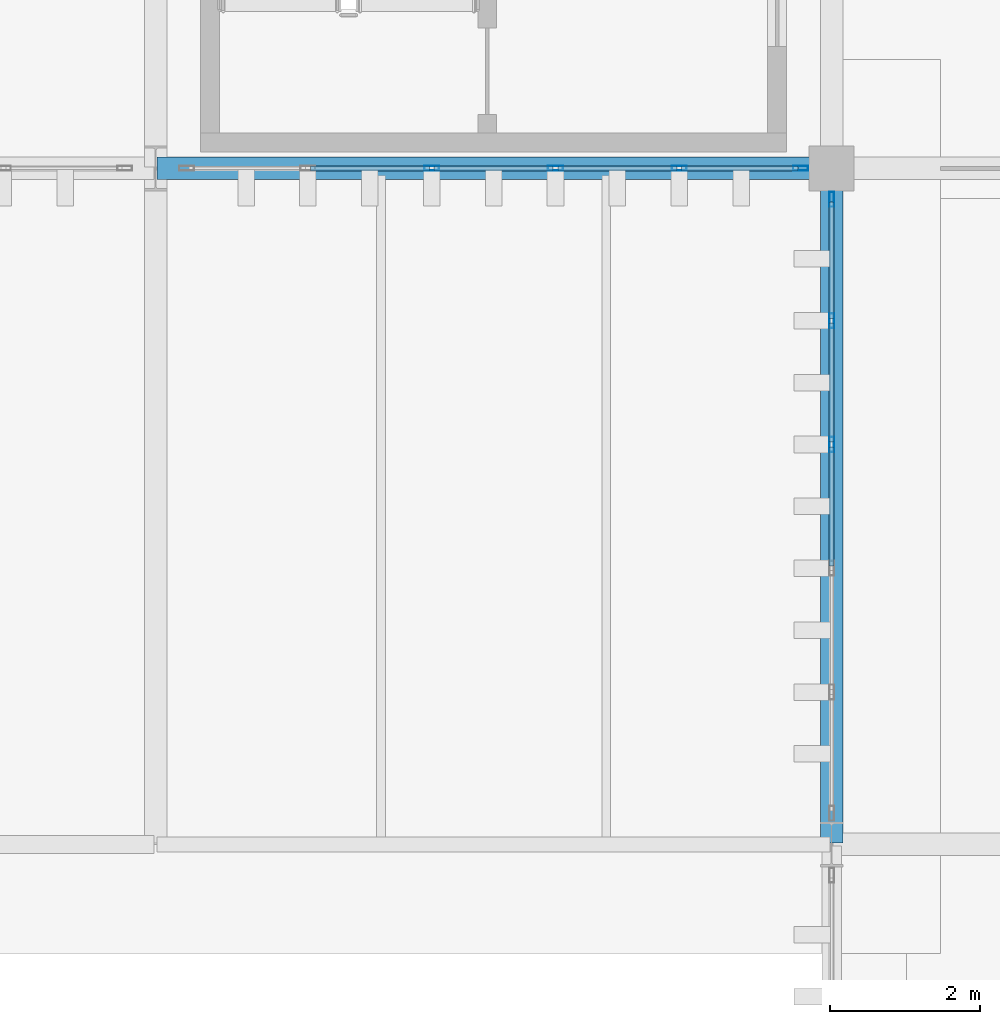
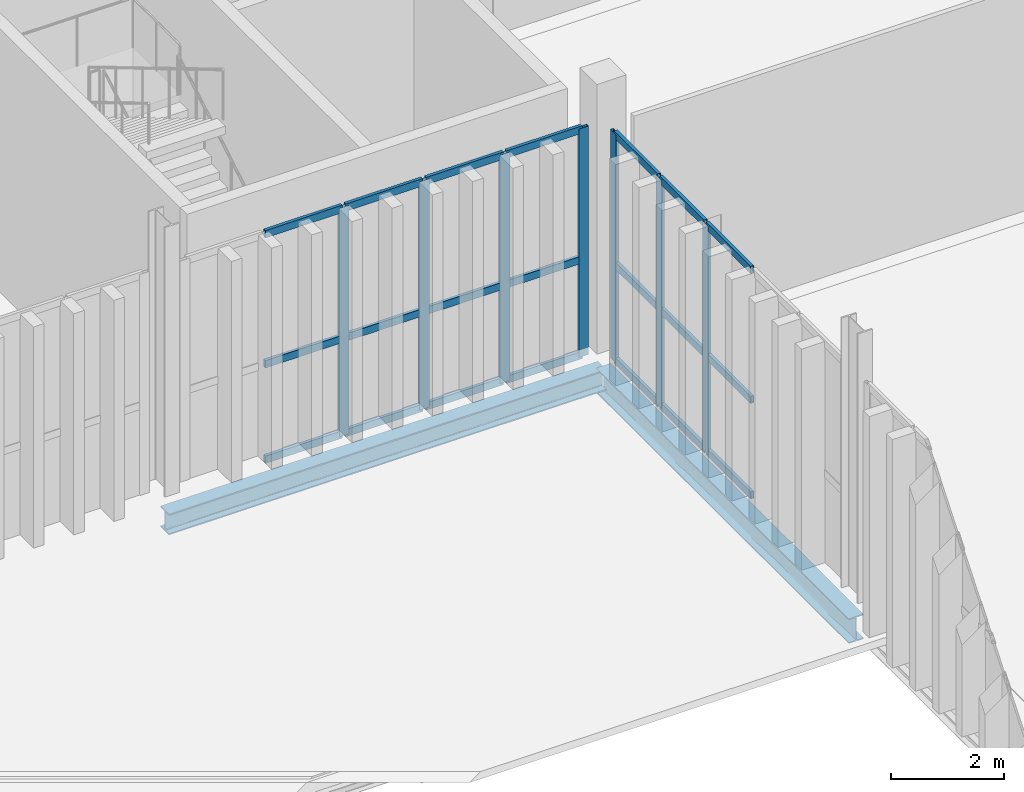
# One storey, part 71 of 211: 28 members, 2 beams, 2 elements without a shape of their own.
"""IFC4 building model written with IfcOpenShell, lengths in metres."""

from ifc_helpers import new_model, si_unit, direction, frame, origin, origin_2d, place, context, subcontext, project, spatial, hollow_rectangle, i_section, extrude, material, layer, layer_set, material_profile, profile_set, type_object, element, aggregate, save


model = new_model("IFC4")

# Units and contexts
model_context = context("Model", 3, precision=1e-05, world=origin(), true_north=direction((0.0, 1.0)))
body_context = subcontext(model_context, "Body", "Model", "MODEL_VIEW")
ifc_project = project(units=[si_unit("LENGTHUNIT", "METRE"), si_unit("AREAUNIT", "SQUARE_METRE"), si_unit("VOLUMEUNIT", "CUBIC_METRE"), si_unit("PLANEANGLEUNIT", "RADIAN"), si_unit("MASSUNIT", "GRAM", prefix="KILO")], contexts=[model_context])

# Site, building, storey
site_placement = place(None, origin())
site = spatial("IfcSite", under=ifc_project, at=site_placement, CompositionType="ELEMENT")
building_placement = place(site_placement, origin())
building = spatial("IfcBuilding", under=site, at=building_placement, Name="Barlavento Convention Centre", CompositionType="ELEMENT")
storey_placement = place(building_placement, frame((0.0, 0.0, 6.0)))
storey = spatial("IfcBuildingStorey", under=building, at=storey_placement, Name="L01", CompositionType="ELEMENT", Elevation=6.0)

# Curtain wall, members
ifc_material_1 = material(Name="Powder-coated aluminium and Low-E glass", Category="aluminium")
ifc_layer_1 = layer(ifc_material_1, 0.195068359375)
ifc_layer_set_1 = layer_set([ifc_layer_1], Name="ARC-CW-FOY-L01")
curtain_wall_type_1 = type_object("IfcCurtainWallType", Name="ARC-CW-FOY-L01", PredefinedType="NOTDEFINED", material=ifc_layer_set_1)
curtain_wall_1_placement = place(storey_placement, origin())
curtain_wall_1 = element("IfcCurtainWall", 1, at=curtain_wall_1_placement, inside=storey, type_object=curtain_wall_type_1, Name="L01 unitised curtain wall CW03", PredefinedType="NOTDEFINED")
ifc_material_2 = material(Name="Powder-coated aluminium", Category="aluminium")
ifc_material_profile_1 = material_profile(ifc_material_2, hollow_rectangle(XDim=0.06494140625, YDim=0.199951171875, WallThickness=0.0048828125, at=origin_2d()), Name="AL-MULL 65x200x5")
ifc_profile_set_1 = profile_set([ifc_material_profile_1], Name="Powder-coated aluminium")
member_type_1 = type_object("IfcMemberType", Name="ARC-CWM-65X200", PredefinedType="MULLION", material=ifc_profile_set_1)
member_1_placement = place(storey_placement, frame((120.676025390625, 45.0, 0.0), z_axis=(0.0, 0.0, 1.0), x_axis=(0.0, 1.0, 0.0)))
member_1 = element("IfcMember", 2, at=member_1_placement, type_object=member_type_1, Name="CW03 mullion 3", PredefinedType="MULLION", context=body_context, shape_type="SweptSolid", body=[
    extrude(hollow_rectangle(XDim=0.06494140625, YDim=0.199951171875, WallThickness=0.0048828125, at=origin_2d()), origin(), (0.0, 0.0, 1.0), 4.949951171875),
])
member_2_placement = place(storey_placement, frame((122.323974609375, 45.0, 0.0), z_axis=(0.0, 0.0, 1.0), x_axis=(0.0, 1.0, 0.0)))
member_2 = element("IfcMember", 3, at=member_2_placement, type_object=member_type_1, Name="CW03 mullion 4", PredefinedType="MULLION", context=body_context, shape_type="SweptSolid", body=[
    extrude(hollow_rectangle(XDim=0.06494140625, YDim=0.199951171875, WallThickness=0.0048828125, at=origin_2d()), origin(), (0.0, 0.0, 1.0), 4.949951171875),
])
member_3_placement = place(storey_placement, frame((123.971923828125, 45.0, 0.0), z_axis=(0.0, 0.0, 1.0), x_axis=(0.0, 1.0, 0.0)))
member_3 = element("IfcMember", 4, at=member_3_placement, type_object=member_type_1, Name="CW03 mullion 5", PredefinedType="MULLION", context=body_context, shape_type="SweptSolid", body=[
    extrude(hollow_rectangle(XDim=0.06494140625, YDim=0.199951171875, WallThickness=0.0048828125, at=origin_2d()), origin(), (0.0, 0.0, 1.0), 4.949951171875),
])
member_4_placement = place(storey_placement, frame((125.58740234375, 45.0, 0.0), z_axis=(0.0, 0.0, 1.0), x_axis=(0.0, 1.0, 0.0)))
member_4 = element("IfcMember", 5, at=member_4_placement, type_object=member_type_1, Name="CW03 mullion 6", PredefinedType="MULLION", context=body_context, shape_type="SweptSolid", body=[
    extrude(hollow_rectangle(XDim=0.06494140625, YDim=0.199951171875, WallThickness=0.0048828125, at=origin_2d()), origin(), (0.0, 0.0, 1.0), 4.949951171875),
])

ifc_layer_2 = layer(ifc_material_1, 0.18994140625)
ifc_layer_set_2 = layer_set([ifc_layer_2], Name="ARC-CW-BALL-L01")
curtain_wall_type_2 = type_object("IfcCurtainWallType", Name="ARC-CW-BALL-L01", PredefinedType="NOTDEFINED", material=ifc_layer_set_2)
curtain_wall_2_placement = place(storey_placement, origin())
curtain_wall_2 = element("IfcCurtainWall", 6, at=curtain_wall_2_placement, inside=storey, type_object=curtain_wall_type_2, Name="L01 unitised curtain wall CW06", PredefinedType="NOTDEFINED")
member_5_placement = place(storey_placement, frame((126.0, 41.323974609375, 0.0), z_axis=(0.0, 0.0, 1.0), x_axis=(-1.0, 0.0, 0.0)))
member_5 = element("IfcMember", 7, at=member_5_placement, type_object=member_type_1, Name="CW06 mullion 4", PredefinedType="MULLION", context=body_context, shape_type="SweptSolid", body=[
    extrude(hollow_rectangle(XDim=0.06494140625, YDim=0.199951171875, WallThickness=0.0048828125, at=origin_2d()), origin(), (0.0, 0.0, 1.0), 4.949951171875),
])
member_6_placement = place(storey_placement, frame((126.0, 42.971923828125, 0.0), z_axis=(0.0, 0.0, 1.0), x_axis=(-1.0, 0.0, 0.0)))
member_6 = element("IfcMember", 8, at=member_6_placement, type_object=member_type_1, Name="CW06 mullion 5", PredefinedType="MULLION", context=body_context, shape_type="SweptSolid", body=[
    extrude(hollow_rectangle(XDim=0.06494140625, YDim=0.199951171875, WallThickness=0.0048828125, at=origin_2d()), origin(), (0.0, 0.0, 1.0), 4.949951171875),
])
member_7_placement = place(storey_placement, frame((126.0, 44.58740234375, 0.0), z_axis=(0.0, 0.0, 1.0), x_axis=(-1.0, 0.0, 0.0)))
member_7 = element("IfcMember", 9, at=member_7_placement, type_object=member_type_1, Name="CW06 mullion 6", PredefinedType="MULLION", context=body_context, shape_type="SweptSolid", body=[
    extrude(hollow_rectangle(XDim=0.06494140625, YDim=0.199951171875, WallThickness=0.0048828125, at=origin_2d()), origin(), (0.0, 0.0, 1.0), 4.949951171875),
])

# Member
ifc_material_profile_2 = material_profile(ifc_material_2, hollow_rectangle(XDim=0.06494140625, YDim=0.159912109375, WallThickness=0.0048828125, at=origin_2d()), Name="AL-TRAN 65x160x5")
ifc_profile_set_2 = profile_set([ifc_material_profile_2], Name="Powder-coated aluminium")
member_type_2 = type_object("IfcMemberType", Name="ARC-CWT-65X160", PredefinedType="USERDEFINED", material=ifc_profile_set_2)
member_8_placement = place(storey_placement, frame((119.060546875, 45.0, 0.032470703125), z_axis=(1.0, 0.0, 0.0), x_axis=(0.0, 1.0, 0.0)))
member_8 = element("IfcMember", 10, at=member_8_placement, type_object=member_type_2, Name="CW03 transom 2.1", ObjectType="TRANSOM", PredefinedType="USERDEFINED", context=body_context, shape_type="SweptSolid", body=[
    extrude(hollow_rectangle(XDim=0.06494140625, YDim=0.159912109375, WallThickness=0.0048828125, at=origin_2d()), origin(), (0.0, 0.0, 1.0), 1.5830078125),
])

member_9_placement = place(storey_placement, frame((119.060546875, 45.0, 2.10009765625), z_axis=(1.0, 0.0, 0.0), x_axis=(0.0, 1.0, 0.0)))
member_9 = element("IfcMember", 11, at=member_9_placement, type_object=member_type_2, Name="CW03 transom 2.2", ObjectType="TRANSOM", PredefinedType="USERDEFINED", context=body_context, shape_type="SweptSolid", body=[
    extrude(hollow_rectangle(XDim=0.06494140625, YDim=0.159912109375, WallThickness=0.0048828125, at=origin_2d()), origin(), (0.0, 0.0, 1.0), 1.5830078125),
])

member_10_placement = place(storey_placement, frame((119.060546875, 45.0, 4.91748046875), z_axis=(1.0, 0.0, 0.0), x_axis=(0.0, 1.0, 0.0)))
member_10 = element("IfcMember", 12, at=member_10_placement, type_object=member_type_2, Name="CW03 transom 2.3", ObjectType="TRANSOM", PredefinedType="USERDEFINED", context=body_context, shape_type="SweptSolid", body=[
    extrude(hollow_rectangle(XDim=0.06494140625, YDim=0.159912109375, WallThickness=0.0048828125, at=origin_2d()), origin(), (0.0, 0.0, 1.0), 1.5830078125),
])

member_11_placement = place(storey_placement, frame((120.70849609375, 45.0, 0.032470703125), z_axis=(1.0, 0.0, 0.0), x_axis=(0.0, 1.0, 0.0)))
member_11 = element("IfcMember", 13, at=member_11_placement, type_object=member_type_2, Name="CW03 transom 3.1", ObjectType="TRANSOM", PredefinedType="USERDEFINED", context=body_context, shape_type="SweptSolid", body=[
    extrude(hollow_rectangle(XDim=0.06494140625, YDim=0.159912109375, WallThickness=0.0048828125, at=origin_2d()), origin(), (0.0, 0.0, 1.0), 1.5830078125),
])

member_12_placement = place(storey_placement, frame((120.70849609375, 45.0, 2.10009765625), z_axis=(1.0, 0.0, 0.0), x_axis=(0.0, 1.0, 0.0)))
member_12 = element("IfcMember", 14, at=member_12_placement, type_object=member_type_2, Name="CW03 transom 3.2", ObjectType="TRANSOM", PredefinedType="USERDEFINED", context=body_context, shape_type="SweptSolid", body=[
    extrude(hollow_rectangle(XDim=0.06494140625, YDim=0.159912109375, WallThickness=0.0048828125, at=origin_2d()), origin(), (0.0, 0.0, 1.0), 1.5830078125),
])

member_13_placement = place(storey_placement, frame((120.70849609375, 45.0, 4.91748046875), z_axis=(1.0, 0.0, 0.0), x_axis=(0.0, 1.0, 0.0)))
member_13 = element("IfcMember", 15, at=member_13_placement, type_object=member_type_2, Name="CW03 transom 3.3", ObjectType="TRANSOM", PredefinedType="USERDEFINED", context=body_context, shape_type="SweptSolid", body=[
    extrude(hollow_rectangle(XDim=0.06494140625, YDim=0.159912109375, WallThickness=0.0048828125, at=origin_2d()), origin(), (0.0, 0.0, 1.0), 1.5830078125),
])

member_14_placement = place(storey_placement, frame((122.3564453125, 45.0, 0.032470703125), z_axis=(1.0, 0.0, 0.0), x_axis=(0.0, 1.0, 0.0)))
member_14 = element("IfcMember", 16, at=member_14_placement, type_object=member_type_2, Name="CW03 transom 4.1", ObjectType="TRANSOM", PredefinedType="USERDEFINED", context=body_context, shape_type="SweptSolid", body=[
    extrude(hollow_rectangle(XDim=0.06494140625, YDim=0.159912109375, WallThickness=0.0048828125, at=origin_2d()), origin(), (0.0, 0.0, 1.0), 1.5830078125),
])

member_15_placement = place(storey_placement, frame((122.3564453125, 45.0, 2.10009765625), z_axis=(1.0, 0.0, 0.0), x_axis=(0.0, 1.0, 0.0)))
member_15 = element("IfcMember", 17, at=member_15_placement, type_object=member_type_2, Name="CW03 transom 4.2", ObjectType="TRANSOM", PredefinedType="USERDEFINED", context=body_context, shape_type="SweptSolid", body=[
    extrude(hollow_rectangle(XDim=0.06494140625, YDim=0.159912109375, WallThickness=0.0048828125, at=origin_2d()), origin(), (0.0, 0.0, 1.0), 1.5830078125),
])

member_16_placement = place(storey_placement, frame((122.3564453125, 45.0, 4.91748046875), z_axis=(1.0, 0.0, 0.0), x_axis=(0.0, 1.0, 0.0)))
member_16 = element("IfcMember", 18, at=member_16_placement, type_object=member_type_2, Name="CW03 transom 4.3", ObjectType="TRANSOM", PredefinedType="USERDEFINED", context=body_context, shape_type="SweptSolid", body=[
    extrude(hollow_rectangle(XDim=0.06494140625, YDim=0.159912109375, WallThickness=0.0048828125, at=origin_2d()), origin(), (0.0, 0.0, 1.0), 1.5830078125),
])

member_17_placement = place(storey_placement, frame((124.00439453125, 45.0, 0.032470703125), z_axis=(1.0, 0.0, 0.0), x_axis=(0.0, 1.0, 0.0)))
member_17 = element("IfcMember", 19, at=member_17_placement, type_object=member_type_2, Name="CW03 transom 5.1", ObjectType="TRANSOM", PredefinedType="USERDEFINED", context=body_context, shape_type="SweptSolid", body=[
    extrude(hollow_rectangle(XDim=0.06494140625, YDim=0.159912109375, WallThickness=0.0048828125, at=origin_2d()), origin(), (0.0, 0.0, 1.0), 1.550537109375),
])

member_18_placement = place(storey_placement, frame((124.00439453125, 45.0, 2.10009765625), z_axis=(1.0, 0.0, 0.0), x_axis=(0.0, 1.0, 0.0)))
member_18 = element("IfcMember", 20, at=member_18_placement, type_object=member_type_2, Name="CW03 transom 5.2", ObjectType="TRANSOM", PredefinedType="USERDEFINED", context=body_context, shape_type="SweptSolid", body=[
    extrude(hollow_rectangle(XDim=0.06494140625, YDim=0.159912109375, WallThickness=0.0048828125, at=origin_2d()), origin(), (0.0, 0.0, 1.0), 1.550537109375),
])

member_19_placement = place(storey_placement, frame((124.00439453125, 45.0, 4.91748046875), z_axis=(1.0, 0.0, 0.0), x_axis=(0.0, 1.0, 0.0)))
member_19 = element("IfcMember", 21, at=member_19_placement, type_object=member_type_2, Name="CW03 transom 5.3", ObjectType="TRANSOM", PredefinedType="USERDEFINED", context=body_context, shape_type="SweptSolid", body=[
    extrude(hollow_rectangle(XDim=0.06494140625, YDim=0.159912109375, WallThickness=0.0048828125, at=origin_2d()), origin(), (0.0, 0.0, 1.0), 1.550537109375),
])

aggregate(curtain_wall_1, [member_1, member_2, member_3, member_4, member_8, member_9, member_10, member_11, member_12, member_13, member_14, member_15, member_16, member_17, member_18, member_19])

member_20_placement = place(storey_placement, frame((126.0, 39.70849609375, 0.032470703125), z_axis=(0.0, 1.0, 0.0), x_axis=(-1.0, 0.0, 0.0)))
member_20 = element("IfcMember", 22, at=member_20_placement, type_object=member_type_2, Name="CW06 transom 3.1", ObjectType="TRANSOM", PredefinedType="USERDEFINED", context=body_context, shape_type="SweptSolid", body=[
    extrude(hollow_rectangle(XDim=0.06494140625, YDim=0.159912109375, WallThickness=0.0048828125, at=origin_2d()), origin(), (0.0, 0.0, 1.0), 1.5830078125),
])

member_21_placement = place(storey_placement, frame((126.0, 39.70849609375, 2.10009765625), z_axis=(0.0, 1.0, 0.0), x_axis=(-1.0, 0.0, 0.0)))
member_21 = element("IfcMember", 23, at=member_21_placement, type_object=member_type_2, Name="CW06 transom 3.2", ObjectType="TRANSOM", PredefinedType="USERDEFINED", context=body_context, shape_type="SweptSolid", body=[
    extrude(hollow_rectangle(XDim=0.06494140625, YDim=0.159912109375, WallThickness=0.0048828125, at=origin_2d()), origin(), (0.0, 0.0, 1.0), 1.5830078125),
])

member_22_placement = place(storey_placement, frame((126.0, 39.70849609375, 4.91748046875), z_axis=(0.0, 1.0, 0.0), x_axis=(-1.0, 0.0, 0.0)))
member_22 = element("IfcMember", 24, at=member_22_placement, type_object=member_type_2, Name="CW06 transom 3.3", ObjectType="TRANSOM", PredefinedType="USERDEFINED", context=body_context, shape_type="SweptSolid", body=[
    extrude(hollow_rectangle(XDim=0.06494140625, YDim=0.159912109375, WallThickness=0.0048828125, at=origin_2d()), origin(), (0.0, 0.0, 1.0), 1.5830078125),
])

member_23_placement = place(storey_placement, frame((126.0, 41.3564453125, 0.032470703125), z_axis=(0.0, 1.0, 0.0), x_axis=(-1.0, 0.0, 0.0)))
member_23 = element("IfcMember", 25, at=member_23_placement, type_object=member_type_2, Name="CW06 transom 4.1", ObjectType="TRANSOM", PredefinedType="USERDEFINED", context=body_context, shape_type="SweptSolid", body=[
    extrude(hollow_rectangle(XDim=0.06494140625, YDim=0.159912109375, WallThickness=0.0048828125, at=origin_2d()), origin(), (0.0, 0.0, 1.0), 1.5830078125),
])

member_24_placement = place(storey_placement, frame((126.0, 41.3564453125, 2.10009765625), z_axis=(0.0, 1.0, 0.0), x_axis=(-1.0, 0.0, 0.0)))
member_24 = element("IfcMember", 26, at=member_24_placement, type_object=member_type_2, Name="CW06 transom 4.2", ObjectType="TRANSOM", PredefinedType="USERDEFINED", context=body_context, shape_type="SweptSolid", body=[
    extrude(hollow_rectangle(XDim=0.06494140625, YDim=0.159912109375, WallThickness=0.0048828125, at=origin_2d()), origin(), (0.0, 0.0, 1.0), 1.5830078125),
])

member_25_placement = place(storey_placement, frame((126.0, 41.3564453125, 4.91748046875), z_axis=(0.0, 1.0, 0.0), x_axis=(-1.0, 0.0, 0.0)))
member_25 = element("IfcMember", 27, at=member_25_placement, type_object=member_type_2, Name="CW06 transom 4.3", ObjectType="TRANSOM", PredefinedType="USERDEFINED", context=body_context, shape_type="SweptSolid", body=[
    extrude(hollow_rectangle(XDim=0.06494140625, YDim=0.159912109375, WallThickness=0.0048828125, at=origin_2d()), origin(), (0.0, 0.0, 1.0), 1.5830078125),
])

member_26_placement = place(storey_placement, frame((126.0, 43.00439453125, 0.032470703125), z_axis=(0.0, 1.0, 0.0), x_axis=(-1.0, 0.0, 0.0)))
member_26 = element("IfcMember", 28, at=member_26_placement, type_object=member_type_2, Name="CW06 transom 5.1", ObjectType="TRANSOM", PredefinedType="USERDEFINED", context=body_context, shape_type="SweptSolid", body=[
    extrude(hollow_rectangle(XDim=0.06494140625, YDim=0.159912109375, WallThickness=0.0048828125, at=origin_2d()), origin(), (0.0, 0.0, 1.0), 1.550537109375),
])

member_27_placement = place(storey_placement, frame((126.0, 43.00439453125, 2.10009765625), z_axis=(0.0, 1.0, 0.0), x_axis=(-1.0, 0.0, 0.0)))
member_27 = element("IfcMember", 29, at=member_27_placement, type_object=member_type_2, Name="CW06 transom 5.2", ObjectType="TRANSOM", PredefinedType="USERDEFINED", context=body_context, shape_type="SweptSolid", body=[
    extrude(hollow_rectangle(XDim=0.06494140625, YDim=0.159912109375, WallThickness=0.0048828125, at=origin_2d()), origin(), (0.0, 0.0, 1.0), 1.550537109375),
])

member_28_placement = place(storey_placement, frame((126.0, 43.00439453125, 4.91748046875), z_axis=(0.0, 1.0, 0.0), x_axis=(-1.0, 0.0, 0.0)))
member_28 = element("IfcMember", 30, at=member_28_placement, type_object=member_type_2, Name="CW06 transom 5.3", ObjectType="TRANSOM", PredefinedType="USERDEFINED", context=body_context, shape_type="SweptSolid", body=[
    extrude(hollow_rectangle(XDim=0.06494140625, YDim=0.159912109375, WallThickness=0.0048828125, at=origin_2d()), origin(), (0.0, 0.0, 1.0), 1.550537109375),
])

aggregate(curtain_wall_2, [member_5, member_6, member_7, member_20, member_21, member_22, member_23, member_24, member_25, member_26, member_27, member_28])

# Beams
ifc_material_3 = material(Name="Steel S355", Category="steel")
ifc_material_profile_3 = material_profile(ifc_material_3, i_section(OverallWidth=0.300048828125, OverallDepth=0.5400390625, WebThickness=0.012451171875, FlangeThickness=0.02392578125, FilletRadius=0.027099609375, at=origin_2d()), Name="HEA 550")
ifc_profile_set_3 = profile_set([ifc_material_profile_3], Name="Steel S355")
beam_type_1 = type_object("IfcBeamType", Name="STR-BM-PRI-HEA550", PredefinedType="BEAM", material=ifc_profile_set_3)
beam_1_placement = place(storey_placement, frame((126.0, 36.02001953125, -0.6298828125), z_axis=(0.0, 1.0, 0.0), x_axis=(-1.0, 0.0, 0.0)))
element("IfcBeam", 31, at=beam_1_placement, inside=storey, type_object=beam_type_1, Name="L01 grid girder BG19", PredefinedType="BEAM", context=body_context, shape_type="SweptSolid", body=[
    extrude(i_section(OverallWidth=0.300048828125, OverallDepth=0.5400390625, WebThickness=0.012451171875, FlangeThickness=0.02392578125, FilletRadius=0.027099609375, at=origin_2d()), origin(), (0.0, 0.0, 1.0), 8.9599609375),
])
ifc_material_profile_4 = material_profile(ifc_material_3, i_section(OverallWidth=0.300048828125, OverallDepth=0.449951171875, WebThickness=0.013916015625, FlangeThickness=0.02587890625, FilletRadius=0.027099609375, at=origin_2d()), Name="HEB 450")
ifc_profile_set_4 = profile_set([ifc_material_profile_4], Name="Steel S355")
beam_type_2 = type_object("IfcBeamType", Name="STR-BM-PRI-HEB450", PredefinedType="BEAM", material=ifc_profile_set_4)
beam_2_placement = place(storey_placement, frame((117.02001953125, 45.0, -0.5849609375), z_axis=(1.0, 0.0, 0.0), x_axis=(0.0, 1.0, 0.0)))
element("IfcBeam", 32, at=beam_2_placement, inside=storey, type_object=beam_type_2, Name="L01 primary girder BG10", PredefinedType="BEAM", context=body_context, shape_type="SweptSolid", body=[
    extrude(i_section(OverallWidth=0.300048828125, OverallDepth=0.449951171875, WebThickness=0.013916015625, FlangeThickness=0.02587890625, FilletRadius=0.027099609375, at=origin_2d()), origin(), (0.0, 0.0, 1.0), 8.9599609375),
])

save(model, "model.ifc")
